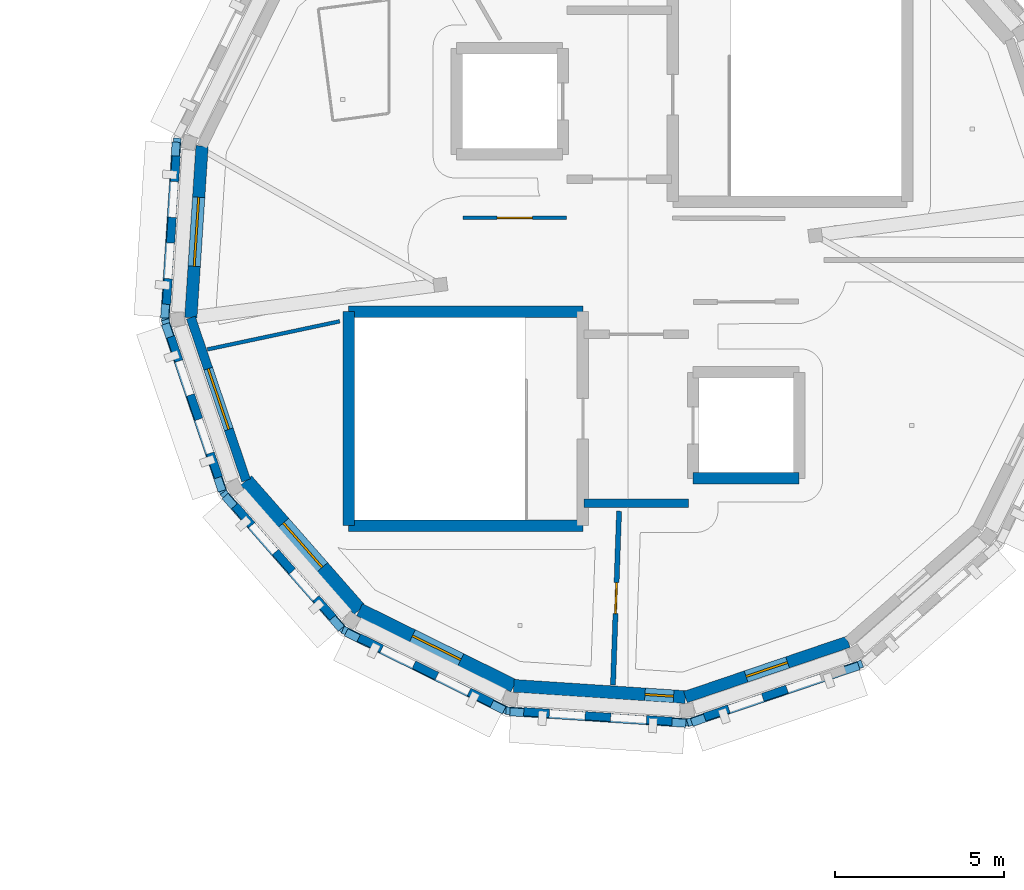
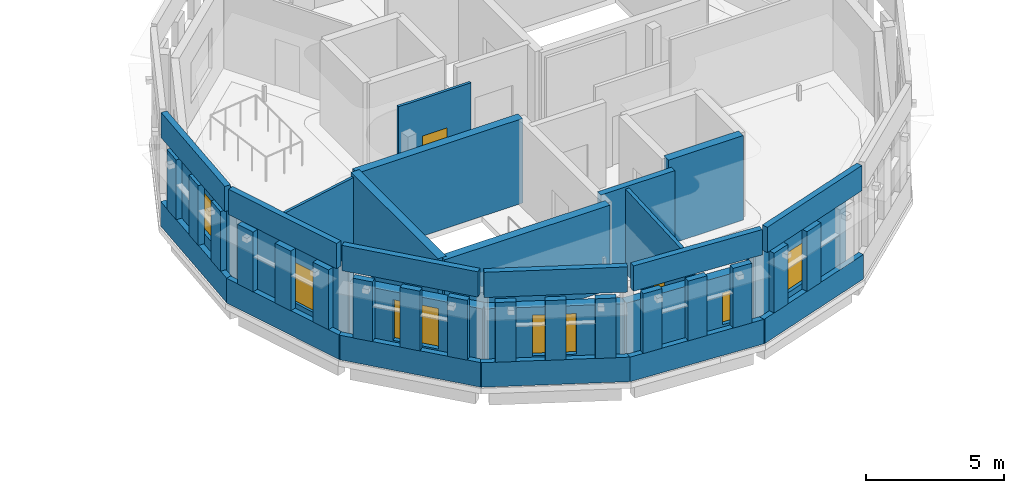
# One storey, part 13 of 18: 43 walls, 6 windows, 2 doors, 8 openings.
"""IFC4 building model written with IfcOpenShell, lengths in metres."""

from ifc_helpers import new_model, si_unit, direction, frame, frame_2d, origin, place, context, subcontext, project, spatial, rectangle, extrude, material, layer, layer_set, type_object, element, fill, save


model = new_model("IFC4")

# Units and contexts
model_context = context("Model", 3, precision=1e-05, world=origin(), true_north=direction((0.0, 1.0)))
body_context = subcontext(model_context, "Body", "Model", "MODEL_VIEW")
ifc_project = project(units=[si_unit("LENGTHUNIT", "METRE"), si_unit("AREAUNIT", "SQUARE_METRE"), si_unit("VOLUMEUNIT", "CUBIC_METRE"), si_unit("PLANEANGLEUNIT", "RADIAN"), si_unit("MASSUNIT", "GRAM", prefix="KILO")], contexts=[model_context])

# Site, building, storey
site_placement = place(None, origin())
site = spatial("IfcSite", under=ifc_project, at=site_placement, CompositionType="ELEMENT")
building_placement = place(site_placement, origin())
building = spatial("IfcBuilding", under=site, at=building_placement, Name="Wrenclough Park School", CompositionType="ELEMENT")
storey_placement = place(building_placement, frame((0.0, 0.0, 20.800048828125)))
storey = spatial("IfcBuildingStorey", under=building, at=storey_placement, Name="L05", CompositionType="ELEMENT", Elevation=20.800048828125)

# Walls
ifc_material_1 = material(Name="Perforated open-bond Staffordshire and Manchester brick screen pier", Category="masonry")
ifc_layer_1 = layer(ifc_material_1, 0.2451171875)
ifc_layer_set_1 = layer_set([ifc_layer_1], Name="Perforated open-bond Staffordshire and Manchester brick screen pier")
wall_type_1 = type_object("IfcWallType", Name="ENV-BS-PR245", PredefinedType="ELEMENTEDWALL", material=ifc_layer_set_1)
wall_1_placement = place(storey_placement, frame((161.121826171875, 96.58251953125, 1.08984375), z_axis=(0.0, 0.0, 1.0), x_axis=(-0.065197327118, -0.997872390908, 0.0)))
element("IfcWall", 1, at=wall_1_placement, inside=storey, type_object=wall_type_1, Name="D5 L05 perforated brick screen pier 1026", PredefinedType="ELEMENTEDWALL", context=body_context, shape_type="SweptSolid", body=[
    extrude(rectangle(XDim=0.76025390625, YDim=0.2451171875, at=frame_2d((0.380126953125, 0.0))), origin(), (0.0, 0.0, 1.0), 2.650146484375),
])
for number, where, z_axis, x_axis, name in (
    (2, (161.002685546875, 94.765380859375, 1.08984375), (0.0, 0.0, 1.0), (-0.065218228618, -0.997871025061, 0.0), "D5 L05 perforated brick screen pier 1027"),
    (3, (160.8837890625, 92.948486328125, 1.08984375), (0.0, 0.0, 1.0), (-0.065538124105, -0.997850066036, 0.0), "D5 L05 perforated brick screen pier 1028"),
    (4, (160.960693359375, 91.228271484375, 1.08984375), (0.0, 0.0, 1.0), (0.321522655386, -0.946901886192, 0.0), "D5 L05 perforated brick screen pier 1029"),
):
    element("IfcWall", number, at=place(storey_placement, frame(where, z_axis=z_axis, x_axis=x_axis)), inside=storey, type_object=wall_type_1, Name=name, PredefinedType="ELEMENTEDWALL", context=body_context, shape_type="SweptSolid", body=[
        extrude(rectangle(XDim=0.760009765625, YDim=0.2451171875, at=frame_2d((0.3798828125, 0.0))), origin(), (0.0, 0.0, 1.0), 2.650146484375),
    ])
for number, where, z_axis, x_axis, name in (
    (5, (161.5458984375, 89.50390625, 1.08984375), (0.0, 0.0, 1.0), (0.321620473335, -0.946868666253, 0.0), "D5 L05 perforated brick screen pier 1030"),
    (6, (162.131103515625, 87.77978515625, 1.08984375), (0.0, 0.0, 1.0), (0.321620473335, -0.946868666253, 0.0), "D5 L05 perforated brick screen pier 1031"),
):
    element("IfcWall", number, at=place(storey_placement, frame(where, z_axis=z_axis, x_axis=x_axis)), inside=storey, type_object=wall_type_1, Name=name, PredefinedType="ELEMENTEDWALL", context=body_context, shape_type="SweptSolid", body=[
        extrude(rectangle(XDim=0.759765625, YDim=0.2451171875, at=frame_2d((0.3798828125, 0.0))), origin(), (0.0, 0.0, 1.0), 2.650146484375),
    ])
wall_2_placement = place(storey_placement, frame((162.860595703125, 86.219970703125, 1.08984375), z_axis=(0.0, 0.0, 1.0), x_axis=(0.659345470196, -0.751840109951, 0.0)))
element("IfcWall", 7, at=wall_2_placement, inside=storey, type_object=wall_type_1, Name="D5 L05 perforated brick screen pier 1032", PredefinedType="ELEMENTEDWALL", context=body_context, shape_type="SweptSolid", body=[
    extrude(rectangle(XDim=0.76025390625, YDim=0.2451171875, at=frame_2d((0.380126953125, 0.0))), origin(), (0.0, 0.0, 1.0), 2.650146484375),
])
wall_3_placement = place(storey_placement, frame((164.061279296875, 84.850830078125, 1.08984375), z_axis=(0.0, 0.0, 1.0), x_axis=(0.659323125798, -0.751859704857, 0.0)))
element("IfcWall", 8, at=wall_3_placement, inside=storey, type_object=wall_type_1, Name="D5 L05 perforated brick screen pier 1033", PredefinedType="ELEMENTEDWALL", context=body_context, shape_type="SweptSolid", body=[
    extrude(rectangle(XDim=0.759765625, YDim=0.2451171875, at=frame_2d((0.3798828125, 0.0))), origin(), (0.0, 0.0, 1.0), 2.650146484375),
])
wall_4_placement = place(storey_placement, frame((165.26171875, 83.48193359375, 1.08984375), z_axis=(0.0, 0.0, 1.0), x_axis=(0.659504701015, -0.751700438565, 0.0)))
element("IfcWall", 9, at=wall_4_placement, inside=storey, type_object=wall_type_1, Name="D5 L05 perforated brick screen pier 1034", PredefinedType="ELEMENTEDWALL", context=body_context, shape_type="SweptSolid", body=[
    extrude(rectangle(XDim=0.760009765625, YDim=0.2451171875, at=frame_2d((0.3798828125, 0.0))), origin(), (0.0, 0.0, 1.0), 2.650146484375),
])
wall_5_placement = place(storey_placement, frame((166.53271484375, 82.31982421875, 1.08984375), z_axis=(0.0, 0.0, 1.0), x_axis=(0.896792285629, -0.442451801258, 0.0)))
element("IfcWall", 10, at=wall_5_placement, inside=storey, type_object=wall_type_1, Name="D5 L05 perforated brick screen pier 1035", PredefinedType="ELEMENTEDWALL", context=body_context, shape_type="SweptSolid", body=[
    extrude(rectangle(XDim=0.759765625, YDim=0.2451171875, at=frame_2d((0.3798828125, 0.0))), origin(), (0.0, 0.0, 1.0), 2.650146484375),
])
for number, where, z_axis, x_axis, name in (
    (11, (168.165771484375, 81.514404296875, 1.08984375), (0.0, 0.0, 1.0), (0.896982570774, -0.442065908805, 0.0), "D5 L05 perforated brick screen pier 1036"),
    (12, (169.798828125, 80.709228515625, 1.08984375), (0.0, 0.0, 1.0), (0.896855160379, -0.442324339485, 0.0), "D5 L05 perforated brick screen pier 1037"),
):
    element("IfcWall", number, at=place(storey_placement, frame(where, z_axis=z_axis, x_axis=x_axis)), inside=storey, type_object=wall_type_1, Name=name, PredefinedType="ELEMENTEDWALL", context=body_context, shape_type="SweptSolid", body=[
        extrude(rectangle(XDim=0.760009765625, YDim=0.2451171875, at=frame_2d((0.3798828125, 0.0))), origin(), (0.0, 0.0, 1.0), 2.650146484375),
    ])
wall_6_placement = place(storey_placement, frame((171.41748046875, 80.121826171875, 1.08984375), z_axis=(0.0, 0.0, 1.0), x_axis=(0.997872390908, -0.065197327118, 0.0)))
element("IfcWall", 13, at=wall_6_placement, inside=storey, type_object=wall_type_1, Name="D5 L05 perforated brick screen pier 1038", PredefinedType="ELEMENTEDWALL", context=body_context, shape_type="SweptSolid", body=[
    extrude(rectangle(XDim=0.76025390625, YDim=0.2451171875, at=frame_2d((0.380126953125, 0.0))), origin(), (0.0, 0.0, 1.0), 2.650146484375),
])
for number, where, z_axis, x_axis, name in (
    (14, (173.234619140625, 80.002685546875, 1.08984375), (0.0, 0.0, 1.0), (0.997871025061, -0.065218228618, 0.0), "D5 L05 perforated brick screen pier 1039"),
    (15, (175.051513671875, 79.8837890625, 1.08984375), (0.0, 0.0, 1.0), (0.997850066036, -0.065538124105, 0.0), "D5 L05 perforated brick screen pier 1040"),
    (16, (176.771728515625, 79.960693359375, 1.08984375), (0.0, 0.0, 1.0), (0.946901886192, 0.321522655386, 0.0), "D5 L05 perforated brick screen pier 1041"),
):
    element("IfcWall", number, at=place(storey_placement, frame(where, z_axis=z_axis, x_axis=x_axis)), inside=storey, type_object=wall_type_1, Name=name, PredefinedType="ELEMENTEDWALL", context=body_context, shape_type="SweptSolid", body=[
        extrude(rectangle(XDim=0.760009765625, YDim=0.2451171875, at=frame_2d((0.3798828125, 0.0))), origin(), (0.0, 0.0, 1.0), 2.650146484375),
    ])
wall_7_placement = place(storey_placement, frame((178.49609375, 80.5458984375, 1.08984375), z_axis=(0.0, 0.0, 1.0), x_axis=(0.946868666253, 0.321620473335, 0.0)))
element("IfcWall", 17, at=wall_7_placement, inside=storey, type_object=wall_type_1, Name="D5 L05 perforated brick screen pier 1042", PredefinedType="ELEMENTEDWALL", context=body_context, shape_type="SweptSolid", body=[
    extrude(rectangle(XDim=0.759765625, YDim=0.2451171875, at=frame_2d((0.3798828125, 0.0))), origin(), (0.0, 0.0, 1.0), 2.650146484375),
])
ifc_material_2 = material(Name="Open-bond Manchester multi-stock brick spandrel screen", Category="masonry")
ifc_layer_2 = layer(ifc_material_2, 0.22509765625)
ifc_layer_set_2 = layer_set([ifc_layer_2], Name="Open-bond Manchester multi-stock brick spandrel screen")
wall_type_2 = type_object("IfcWallType", Name="ENV-BS-SP225", PredefinedType="ELEMENTEDWALL", material=ifc_layer_set_2)
wall_8_placement = place(storey_placement, frame((161.156494140625, 97.11181640625, 0.0), z_axis=(0.0, 0.0, 1.0), x_axis=(-0.065385822726, -0.997860057416, 0.0)))
element("IfcWall", 18, at=wall_8_placement, inside=storey, type_object=wall_type_2, Name="D5 L05 open-bond brick screen spandrel 0288", PredefinedType="ELEMENTEDWALL", context=body_context, shape_type="SweptSolid", body=[
    extrude(rectangle(XDim=5.462646484375, YDim=0.22509765625, at=frame_2d((2.7314453125, 0.0))), origin(), (0.0, 0.0, 1.0), 1.08984375),
])
for number, where, z_axis, x_axis, name in (
    (19, (160.790283203125, 91.73046875, 0.0), (0.0, 0.0, 1.0), (0.321398691789, -0.946943969259, 0.0), "D5 L05 open-bond brick screen spandrel 0289"),
    (20, (162.510986328125, 86.61865234375, 0.0), (0.0, 0.0, 1.0), (0.659333231933, -0.751850842434, 0.0), "D5 L05 open-bond brick screen spandrel 0290"),
    (21, (166.056884765625, 82.554443359375, 0.0), (0.0, 0.0, 1.0), (0.896871842035, -0.442290514216, 0.0), "D5 L05 open-bond brick screen spandrel 0291"),
):
    element("IfcWall", number, at=place(storey_placement, frame(where, z_axis=z_axis, x_axis=x_axis)), inside=storey, type_object=wall_type_2, Name=name, PredefinedType="ELEMENTEDWALL", context=body_context, shape_type="SweptSolid", body=[
        extrude(rectangle(XDim=5.46240234375, YDim=0.22509765625, at=frame_2d((2.731201171875, 0.0))), origin(), (0.0, 0.0, 1.0), 1.08984375),
    ])
wall_9_placement = place(storey_placement, frame((170.88818359375, 80.156494140625, 0.0), z_axis=(0.0, 0.0, 1.0), x_axis=(0.997860057416, -0.065385822726, 0.0)))
element("IfcWall", 22, at=wall_9_placement, inside=storey, type_object=wall_type_2, Name="D5 L05 open-bond brick screen spandrel 0292", PredefinedType="ELEMENTEDWALL", context=body_context, shape_type="SweptSolid", body=[
    extrude(rectangle(XDim=5.462646484375, YDim=0.22509765625, at=frame_2d((2.7314453125, 0.0))), origin(), (0.0, 0.0, 1.0), 1.08984375),
])
wall_10_placement = place(storey_placement, frame((176.26953125, 79.790283203125, 0.0), z_axis=(0.0, 0.0, 1.0), x_axis=(0.946943969259, 0.321398691789, 0.0)))
element("IfcWall", 23, at=wall_10_placement, inside=storey, type_object=wall_type_2, Name="D5 L05 open-bond brick screen spandrel 0293", PredefinedType="ELEMENTEDWALL", context=body_context, shape_type="SweptSolid", body=[
    extrude(rectangle(XDim=5.46240234375, YDim=0.22509765625, at=frame_2d((2.731201171875, 0.0))), origin(), (0.0, 0.0, 1.0), 1.08984375),
])

# Wall, opening, window
ifc_material_3 = material(Name="Link wing brick-faced cavity wall Concrete C32/40", Category="masonry")
ifc_layer_3 = layer(ifc_material_3, 0.27490234375)
ifc_layer_set_3 = layer_set([ifc_layer_3], Name="Link wing brick-faced cavity wall Concrete C32/40")
wall_type_3 = type_object("IfcWallType", Name="ENV-EW-275", PredefinedType="SOLIDWALL", material=ifc_layer_set_3)
wall_11_placement = place(storey_placement, frame((163.191650390625, 86.97119140625, 0.0), z_axis=(0.0, 0.0, 1.0), x_axis=(-0.321398403796, 0.946944067006, 0.0)))
wall_11 = element("IfcWall", 24, at=wall_11_placement, inside=storey, type_object=wall_type_3, Name="L05 insulated brick external wall 0398", PredefinedType="SOLIDWALL", context=body_context, shape_type="SweptSolid", body=[
    extrude(rectangle(XDim=5.0947265625, YDim=0.27490234375, at=frame_2d((2.54736328125, 0.0))), origin(), (0.0, 0.0, 1.0), 3.739990234375),
])
opening_1_placement = place(wall_11_placement, frame((1.597412109375, 0.0, 0.85009765625)))
opening_1 = element("IfcOpeningElement", 25, at=opening_1_placement, cuts=wall_11, Name="Opening WN-31", PredefinedType="OPENING", context=body_context, shape_type="SweptSolid", body=[
    extrude(rectangle(XDim=1.89990234375, YDim=1.800048828125, at=frame_2d((0.949951171875, 0.89990234375))), frame((0.0, 0.1474609375, 0.0), z_axis=(0.0, -1.0, 0.0), x_axis=(1.0, 0.0, 0.0)), (0.0, 0.0, 1.0), 0.294921875),
])
ifc_material_4 = material(Name="Thermally broken aluminium and double-glazed low-e glass", Category="aluminium")
window_type_1 = type_object("IfcWindowType", Name="ENV-WN-31", PartitioningType="DOUBLE_PANEL_VERTICAL", PredefinedType="WINDOW", material=ifc_material_4)
window_1_placement = place(opening_1_placement, origin())
window_1 = element("IfcWindow", 26, at=window_1_placement, inside=storey, type_object=window_type_1, Name="L05 scheduled facade window 0646", OverallHeight=1.800048828125, OverallWidth=1.89990234375, PartitioningType="SINGLE_PANEL", PredefinedType="WINDOW", context=body_context, shape_type="SweptSolid", body=[
    extrude(rectangle(XDim=1.89990234375, YDim=1.800048828125, at=frame_2d((0.949951171875, 0.89990234375))), frame((0.0, 0.030029296875, 0.0), z_axis=(0.0, -1.0, 0.0), x_axis=(1.0, 0.0, 0.0)), (0.0, 0.0, 1.0), 0.06005859375),
])
fill(opening_1, window_1)

ifc_material_5 = material(Name="Staffordshire blue-grey brick and Concrete C35/45 inner leaf", Category="masonry")
ifc_layer_4 = layer(ifc_material_5, 0.35009765625)
ifc_layer_set_4 = layer_set([ifc_layer_4], Name="Staffordshire blue-grey brick and Concrete C35/45 inner leaf")
wall_type_4 = type_object("IfcWallType", Name="ENV-EW-350", PredefinedType="SOLIDWALL", material=ifc_layer_set_4)
wall_12_placement = place(storey_placement, frame((181.02880859375, 82.191650390625, 0.0), z_axis=(0.0, 0.0, 1.0), x_axis=(-0.946944067006, -0.321398403796, 0.0)))
wall_12 = element("IfcWall", 27, at=wall_12_placement, inside=storey, type_object=wall_type_4, Name="L05 insulated brick external wall 0394", PredefinedType="SOLIDWALL", context=body_context, shape_type="SweptSolid", body=[
    extrude(rectangle(XDim=5.0947265625, YDim=0.35009765625, at=frame_2d((2.54736328125, 0.0))), origin(), (0.0, 0.0, 1.0), 3.739990234375),
])
opening_2_placement = place(wall_12_placement, frame((1.8974609375, 0.0, 0.85009765625)))
opening_2 = element("IfcOpeningElement", 28, at=opening_2_placement, cuts=wall_12, Name="Opening WN-27", PredefinedType="OPENING", context=body_context, shape_type="SweptSolid", body=[
    extrude(rectangle(XDim=1.300048828125, YDim=1.800048828125, at=frame_2d((0.64990234375, 0.89990234375))), frame((0.0, 0.18505859375, 0.0), z_axis=(0.0, -1.0, 0.0), x_axis=(1.0, 0.0, 0.0)), (0.0, 0.0, 1.0), 0.3701171875),
])
window_type_2 = type_object("IfcWindowType", Name="ENV-WN-27", PartitioningType="SINGLE_PANEL", PredefinedType="WINDOW", material=ifc_material_4)
window_2_placement = place(opening_2_placement, origin())
window_2 = element("IfcWindow", 29, at=window_2_placement, inside=storey, type_object=window_type_2, Name="L05 scheduled facade window 0642", OverallHeight=1.800048828125, OverallWidth=1.300048828125, PartitioningType="SINGLE_PANEL", PredefinedType="WINDOW", context=body_context, shape_type="SweptSolid", body=[
    extrude(rectangle(XDim=1.300048828125, YDim=1.800048828125, at=frame_2d((0.64990234375, 0.89990234375))), frame((0.0, 0.030029296875, 0.0), z_axis=(0.0, -1.0, 0.0), x_axis=(1.0, 0.0, 0.0)), (0.0, 0.0, 1.0), 0.06005859375),
])
fill(opening_2, window_2)

ifc_material_6 = material(Name="Faceted courtyard brick-cavity wall Concrete C35/45", Category="masonry")
ifc_layer_5 = layer(ifc_material_6, 0.364990234375)
ifc_layer_set_5 = layer_set([ifc_layer_5], Name="Faceted courtyard brick-cavity wall Concrete C35/45")
wall_type_5 = type_object("IfcWallType", Name="ENV-EW-365", PredefinedType="SOLIDWALL", material=ifc_layer_set_5)
wall_13_placement = place(storey_placement, frame((161.55419921875, 91.795654296875, 0.0), z_axis=(0.0, 0.0, 1.0), x_axis=(0.065364406289, 0.99786146052, 0.0)))
wall_13 = element("IfcWall", 30, at=wall_13_placement, inside=storey, type_object=wall_type_5, Name="L05 insulated brick external wall 0399", PredefinedType="SOLIDWALL", context=body_context, shape_type="SweptSolid", body=[
    extrude(rectangle(XDim=5.0947265625, YDim=0.364990234375, at=frame_2d((2.54736328125, 0.0))), origin(), (0.0, 0.0, 1.0), 3.739990234375),
])
opening_3_placement = place(wall_13_placement, frame((1.5224609375, 0.0, 0.85009765625)))
opening_3 = element("IfcOpeningElement", 31, at=opening_3_placement, cuts=wall_13, Name="Opening WN-32", PredefinedType="OPENING", context=body_context, shape_type="SweptSolid", body=[
    extrude(rectangle(XDim=2.050048828125, YDim=1.800048828125, at=frame_2d((1.02490234375, 0.89990234375))), frame((0.0, 0.1923828125, 0.0), z_axis=(0.0, -1.0, 0.0), x_axis=(1.0, 0.0, 0.0)), (0.0, 0.0, 1.0), 0.385009765625),
])
window_type_3 = type_object("IfcWindowType", Name="ENV-WN-32", PartitioningType="DOUBLE_PANEL_VERTICAL", PredefinedType="WINDOW", material=ifc_material_4)
window_3_placement = place(opening_3_placement, origin())
window_3 = element("IfcWindow", 32, at=window_3_placement, inside=storey, type_object=window_type_3, Name="L05 scheduled facade window 0647", OverallHeight=1.800048828125, OverallWidth=2.050048828125, PartitioningType="SINGLE_PANEL", PredefinedType="WINDOW", context=body_context, shape_type="SweptSolid", body=[
    extrude(rectangle(XDim=2.050048828125, YDim=1.800048828125, at=frame_2d((1.02490234375, 0.89990234375))), frame((0.0, 0.030029296875, 0.0), z_axis=(0.0, -1.0, 0.0), x_axis=(1.0, 0.0, 0.0)), (0.0, 0.0, 1.0), 0.06005859375),
])
fill(opening_3, window_3)

ifc_material_7 = material(Name="Manchester multi-stock brick and Concrete C35/45 inner leaf", Category="masonry")
ifc_layer_6 = layer(ifc_material_7, 0.3798828125)
ifc_layer_set_6 = layer_set([ifc_layer_6], Name="Manchester multi-stock brick and Concrete C35/45 inner leaf")
wall_type_6 = type_object("IfcWallType", Name="ENV-EW-380", PredefinedType="SOLIDWALL", material=ifc_layer_set_6)
wall_14_placement = place(storey_placement, frame((176.204345703125, 80.55419921875, 0.0), z_axis=(0.0, 0.0, 1.0), x_axis=(-0.99786146052, 0.065364406289, 0.0)))
wall_14 = element("IfcWall", 33, at=wall_14_placement, inside=storey, type_object=wall_type_6, Name="L05 insulated brick external wall 0395", PredefinedType="SOLIDWALL", context=body_context, shape_type="SweptSolid", body=[
    extrude(rectangle(XDim=5.0947265625, YDim=0.3798828125, at=frame_2d((2.54736328125, 0.0))), origin(), (0.0, 0.0, 1.0), 3.0068359375),
])
opening_4_placement = place(wall_14_placement, frame((0.35009765625, 0.0, 0.85009765625)))
opening_4 = element("IfcOpeningElement", 34, at=opening_4_placement, cuts=wall_14, Name="Opening WN-01", PredefinedType="OPENING", context=body_context, shape_type="SweptSolid", body=[
    extrude(rectangle(XDim=0.85009765625, YDim=1.39990234375, at=frame_2d((0.425048828125, 0.699951171875))), frame((0.0, 0.199951171875, 0.0), z_axis=(0.0, -1.0, 0.0), x_axis=(1.0, 0.0, 0.0)), (0.0, 0.0, 1.0), 0.39990234375),
])
window_type_4 = type_object("IfcWindowType", Name="ENV-WN-01", PartitioningType="SINGLE_PANEL", PredefinedType="WINDOW", material=ifc_material_4)
window_4_placement = place(opening_4_placement, origin())
window_4 = element("IfcWindow", 35, at=window_4_placement, inside=storey, type_object=window_type_4, Name="L05 scheduled facade window 0643", OverallHeight=1.39990234375, OverallWidth=0.85009765625, PartitioningType="SINGLE_PANEL", PredefinedType="WINDOW", context=body_context, shape_type="SweptSolid", body=[
    extrude(rectangle(XDim=0.85009765625, YDim=1.39990234375, at=frame_2d((0.425048828125, 0.699951171875))), frame((0.0, 0.030029296875, 0.0), z_axis=(0.0, -1.0, 0.0), x_axis=(1.0, 0.0, 0.0)), (0.0, 0.0, 1.0), 0.06005859375),
])
fill(opening_4, window_4)

ifc_material_8 = material(Name="Staffordshire blue-grey brick and Concrete C40/50 acoustic leaf", Category="masonry")
ifc_layer_7 = layer(ifc_material_8, 0.39990234375)
ifc_layer_set_7 = layer_set([ifc_layer_7], Name="Staffordshire blue-grey brick and Concrete C40/50 acoustic leaf")
wall_type_7 = type_object("IfcWallType", Name="ENV-EW-400", PredefinedType="SOLIDWALL", material=ifc_layer_set_7)
wall_15_placement = place(storey_placement, frame((171.12060546875, 80.88720703125, 0.0), z_axis=(0.0, 0.0, 1.0), x_axis=(-0.896885971635, 0.442261861213, 0.0)))
wall_15 = element("IfcWall", 36, at=wall_15_placement, inside=storey, type_object=wall_type_7, Name="L05 insulated brick external wall 0396", PredefinedType="SOLIDWALL", context=body_context, shape_type="SweptSolid", body=[
    extrude(rectangle(XDim=5.09521484375, YDim=0.39990234375, at=frame_2d((2.547607421875, 0.0))), origin(), (0.0, 0.0, 1.0), 3.0068359375),
])
opening_5_placement = place(wall_15_placement, frame((1.74755859375, 0.0, 0.85009765625)))
opening_5 = element("IfcOpeningElement", 37, at=opening_5_placement, cuts=wall_15, Name="Opening WN-29", PredefinedType="OPENING", context=body_context, shape_type="SweptSolid", body=[
    extrude(rectangle(XDim=1.60009765625, YDim=1.800048828125, at=frame_2d((0.800048828125, 0.89990234375))), frame((0.0, 0.2099609375, 0.0), z_axis=(0.0, -1.0, 0.0), x_axis=(1.0, 0.0, 0.0)), (0.0, 0.0, 1.0), 0.419921875),
])
window_type_5 = type_object("IfcWindowType", Name="ENV-WN-29", PartitioningType="DOUBLE_PANEL_VERTICAL", PredefinedType="WINDOW", material=ifc_material_4)
window_5_placement = place(opening_5_placement, origin())
window_5 = element("IfcWindow", 38, at=window_5_placement, inside=storey, type_object=window_type_5, Name="L05 scheduled facade window 0644", OverallHeight=1.800048828125, OverallWidth=1.60009765625, PartitioningType="SINGLE_PANEL", PredefinedType="WINDOW", context=body_context, shape_type="SweptSolid", body=[
    extrude(rectangle(XDim=1.60009765625, YDim=1.800048828125, at=frame_2d((0.800048828125, 0.89990234375))), frame((0.0, 0.030029296875, 0.0), z_axis=(0.0, -1.0, 0.0), x_axis=(1.0, 0.0, 0.0)), (0.0, 0.0, 1.0), 0.06005859375),
])
fill(opening_5, window_5)

ifc_material_9 = material(Name="Insulated brick-clad sports hall wall Concrete C40/50", Category="masonry")
ifc_layer_8 = layer(ifc_material_9, 0.425048828125)
ifc_layer_set_8 = layer_set([ifc_layer_8], Name="Insulated brick-clad sports hall wall Concrete C40/50")
wall_type_8 = type_object("IfcWallType", Name="ENV-EW-425", PredefinedType="SOLIDWALL", material=ifc_layer_set_8)
wall_16_placement = place(storey_placement, frame((166.55078125, 83.140625, 0.0), z_axis=(0.0, 0.0, 1.0), x_axis=(-0.659325209533, 0.751857877577, 0.0)))
wall_16 = element("IfcWall", 39, at=wall_16_placement, inside=storey, type_object=wall_type_8, Name="L05 insulated brick external wall 0397", PredefinedType="SOLIDWALL", context=body_context, shape_type="SweptSolid", body=[
    extrude(rectangle(XDim=5.0947265625, YDim=0.425048828125, at=frame_2d((2.54736328125, 0.0))), origin(), (0.0, 0.0, 1.0), 3.0068359375),
])
opening_6_placement = place(wall_16_placement, frame((1.67236328125, 0.0, 0.85009765625)))
opening_6 = element("IfcOpeningElement", 40, at=opening_6_placement, cuts=wall_16, Name="Opening WN-30", PredefinedType="OPENING", context=body_context, shape_type="SweptSolid", body=[
    extrude(rectangle(XDim=1.75, YDim=1.800048828125, at=frame_2d((0.875, 0.89990234375))), frame((0.0, 0.222412109375, 0.0), z_axis=(0.0, -1.0, 0.0), x_axis=(1.0, 0.0, 0.0)), (0.0, 0.0, 1.0), 0.445068359375),
])
window_type_6 = type_object("IfcWindowType", Name="ENV-WN-30", PartitioningType="DOUBLE_PANEL_VERTICAL", PredefinedType="WINDOW", material=ifc_material_4)
window_6_placement = place(opening_6_placement, origin())
window_6 = element("IfcWindow", 41, at=window_6_placement, inside=storey, type_object=window_type_6, Name="L05 scheduled facade window 0645", OverallHeight=1.800048828125, OverallWidth=1.75, PartitioningType="SINGLE_PANEL", PredefinedType="WINDOW", context=body_context, shape_type="SweptSolid", body=[
    extrude(rectangle(XDim=1.75, YDim=1.800048828125, at=frame_2d((0.875, 0.89990234375))), frame((0.0, 0.030029296875, 0.0), z_axis=(0.0, -1.0, 0.0), x_axis=(1.0, 0.0, 0.0)), (0.0, 0.0, 1.0), 0.06005859375),
])
fill(opening_6, window_6)

# Walls
ifc_material_10 = material(Name="Capped Manchester multi-stock brick parapet", Category="masonry")
ifc_layer_9 = layer(ifc_material_10, 0.239990234375)
ifc_layer_set_9 = layer_set([ifc_layer_9], Name="Capped Manchester multi-stock brick parapet")
wall_type_9 = type_object("IfcWallType", Name="ENV-PW-240", PredefinedType="PARAPET", material=ifc_layer_set_9)
wall_17_placement = place(storey_placement, frame((161.118896484375, 96.993896484375, 4.0), z_axis=(0.0, 0.0, 1.0), x_axis=(-0.065398904758, -0.997859200116, 0.0)))
element("IfcWall", 42, at=wall_17_placement, inside=storey, type_object=wall_type_9, Name="D5-ROOF cylindrical drum parapet wall 103", PredefinedType="PARAPET", context=body_context, shape_type="SweptSolid", body=[
    extrude(rectangle(XDim=5.22265625, YDim=0.239990234375, at=frame_2d((2.611328125, 0.0))), origin(), (0.0, 0.0, 1.0), 1.119873046875),
])
wall_18_placement = place(storey_placement, frame((160.80029296875, 91.607177734375, 4.0), z_axis=(0.0, 0.0, 1.0), x_axis=(0.321440074474, -0.946929922709, 0.0)))
element("IfcWall", 43, at=wall_18_placement, inside=storey, type_object=wall_type_9, Name="D5-ROOF cylindrical drum parapet wall 104", PredefinedType="PARAPET", context=body_context, shape_type="SweptSolid", body=[
    extrude(rectangle(XDim=5.222412109375, YDim=0.239990234375, at=frame_2d((2.611328125, 0.0))), origin(), (0.0, 0.0, 1.0), 1.119873046875),
])
wall_19_placement = place(storey_placement, frame((162.5673828125, 86.5087890625, 4.0), z_axis=(0.0, 0.0, 1.0), x_axis=(0.659361340355, -0.751826191912, 0.0)))
element("IfcWall", 44, at=wall_19_placement, inside=storey, type_object=wall_type_9, Name="D5-ROOF cylindrical drum parapet wall 105", PredefinedType="PARAPET", context=body_context, shape_type="SweptSolid", body=[
    extrude(rectangle(XDim=5.22265625, YDim=0.239990234375, at=frame_2d((2.611328125, 0.0))), origin(), (0.0, 0.0, 1.0), 1.119873046875),
])
wall_20_placement = place(storey_placement, frame((166.1513671875, 82.474609375, 4.0), z_axis=(0.0, 0.0, 1.0), x_axis=(0.896854104277, -0.442326480827, 0.0)))
element("IfcWall", 45, at=wall_20_placement, inside=storey, type_object=wall_type_9, Name="D5-ROOF cylindrical drum parapet wall 106", PredefinedType="PARAPET", context=body_context, shape_type="SweptSolid", body=[
    extrude(rectangle(XDim=5.222412109375, YDim=0.239990234375, at=frame_2d((2.611328125, 0.0))), origin(), (0.0, 0.0, 1.0), 1.119873046875),
])
wall_21_placement = place(storey_placement, frame((171.006103515625, 80.118896484375, 4.0), z_axis=(0.0, 0.0, 1.0), x_axis=(0.997859200116, -0.065398904758, 0.0)))
element("IfcWall", 46, at=wall_21_placement, inside=storey, type_object=wall_type_9, Name="D5-ROOF cylindrical drum parapet wall 107", PredefinedType="PARAPET", context=body_context, shape_type="SweptSolid", body=[
    extrude(rectangle(XDim=5.22265625, YDim=0.239990234375, at=frame_2d((2.611328125, 0.0))), origin(), (0.0, 0.0, 1.0), 1.119873046875),
])
wall_22_placement = place(storey_placement, frame((176.392822265625, 79.80029296875, 4.0), z_axis=(0.0, 0.0, 1.0), x_axis=(0.946929922709, 0.321440074474, 0.0)))
element("IfcWall", 47, at=wall_22_placement, inside=storey, type_object=wall_type_9, Name="D5-ROOF cylindrical drum parapet wall 108", PredefinedType="PARAPET", context=body_context, shape_type="SweptSolid", body=[
    extrude(rectangle(XDim=5.222412109375, YDim=0.239990234375, at=frame_2d((2.611328125, 0.0))), origin(), (0.0, 0.0, 1.0), 1.119873046875),
])
ifc_material_11 = material(Name="Concrete C35/45", Category="concrete")
ifc_layer_10 = layer(ifc_material_11, 0.25)
ifc_layer_set_10 = layer_set([ifc_layer_10], Name="Concrete C35/45")
wall_type_10 = type_object("IfcWallType", Name="INT-CW-250", PredefinedType="SHEAR", material=ifc_layer_set_10)
wall_23_placement = place(storey_placement, frame((173.199951171875, 86.300048828125, 0.0), z_axis=(0.0, 0.0, 1.0), x_axis=(1.0, 0.0, 0.0)))
element("IfcWall", 48, at=wall_23_placement, inside=storey, type_object=wall_type_10, Name="Core C5 L05 lobby fire wall south", PredefinedType="SHEAR", context=body_context, shape_type="SweptSolid", body=[
    extrude(rectangle(XDim=3.10009765625, YDim=0.25, at=frame_2d((1.550048828125, 0.0))), origin(), (0.0, 0.0, 1.0), 3.75),
])
ifc_material_12 = material(Name="Concrete C40/50", Category="concrete")
ifc_layer_11 = layer(ifc_material_12, 0.340087890625)
ifc_layer_set_11 = layer_set([ifc_layer_11], Name="Concrete C40/50")
wall_type_11 = type_object("IfcWallType", Name="INT-CW-340", PredefinedType="SHEAR", material=ifc_layer_set_11)
for number, where, z_axis, x_axis, name in (
    (49, (166.22998046875, 85.6298828125, 0.0), (0.0, 0.0, 1.0), (1.0, 0.0, 0.0), "Core C5 L05 south shear wall"),
    (50, (173.169921875, 91.969970703125, 0.0), (0.0, 0.0, 1.0), (-1.0, 0.0, 0.0), "Core C5 L05 north shear wall"),
):
    element("IfcWall", number, at=place(storey_placement, frame(where, z_axis=z_axis, x_axis=x_axis)), inside=storey, type_object=wall_type_11, Name=name, PredefinedType="SHEAR", context=body_context, shape_type="SweptSolid", body=[
        extrude(rectangle(XDim=6.93994140625, YDim=0.340087890625, at=frame_2d((3.469970703125, 0.0))), origin(), (0.0, 0.0, 1.0), 3.75),
    ])
wall_24_placement = place(storey_placement, frame((166.22998046875, 91.969970703125, 0.0), z_axis=(0.0, 0.0, 1.0), x_axis=(0.0, -1.0, 0.0)))
element("IfcWall", 51, at=wall_24_placement, inside=storey, type_object=wall_type_11, Name="Core C5 L05 west shear wall", PredefinedType="SHEAR", context=body_context, shape_type="SweptSolid", body=[
    extrude(rectangle(XDim=6.340087890625, YDim=0.340087890625, at=frame_2d((3.169921875, 0.0))), origin(), (0.0, 0.0, 1.0), 3.75),
])
wall_25_placement = place(storey_placement, frame((176.429931640625, 87.030029296875, 0.0), z_axis=(0.0, 0.0, 1.0), x_axis=(1.0, 0.0, 0.0)))
element("IfcWall", 52, at=wall_25_placement, inside=storey, type_object=wall_type_11, Name="Lift LFT-01 L05 south shaft wall", PredefinedType="SHEAR", context=body_context, shape_type="SweptSolid", body=[
    extrude(rectangle(XDim=3.14013671875, YDim=0.340087890625, at=frame_2d((1.570068359375, 0.0))), origin(), (0.0, 0.0, 1.0), 3.75),
])

# Wall, opening, door
ifc_material_13 = material(Name="Lightweight fire-rated store partition", Category="gypsum")
ifc_layer_12 = layer(ifc_material_13, 0.110107421875)
ifc_layer_set_12 = layer_set([ifc_layer_12], Name="Lightweight fire-rated store partition")
wall_type_12 = type_object("IfcWallType", Name="INT-PW-110", PredefinedType="PARTITIONING", material=ifc_layer_set_12)
wall_26_placement = place(storey_placement, frame((169.623046875, 94.75, 0.0), z_axis=(0.0, 0.0, 1.0), x_axis=(1.0, 0.0, 0.0)))
wall_26 = element("IfcWall", 53, at=wall_26_placement, inside=storey, type_object=wall_type_12, Name="L05 internal partition 0512", PredefinedType="PARTITIONING", context=body_context, shape_type="SweptSolid", body=[
    extrude(rectangle(XDim=3.054931640625, YDim=0.110107421875, at=frame_2d((1.52734375, 0.0))), origin(), (0.0, 0.0, 1.0), 3.75),
])
opening_7_placement = place(wall_26_placement, frame((1.007568359375, 0.0, 0.0)))
opening_7 = element("IfcOpeningElement", 54, at=opening_7_placement, cuts=wall_26, Name="Opening DR-L05-114", PredefinedType="OPENING", context=body_context, shape_type="SweptSolid", body=[
    extrude(rectangle(XDim=1.0400390625, YDim=2.10009765625, at=frame_2d((0.52001953125, 1.050048828125))), frame((0.0, 0.06494140625, 0.0), z_axis=(0.0, -1.0, 0.0), x_axis=(1.0, 0.0, 0.0)), (0.0, 0.0, 1.0), 0.130126953125),
])
ifc_material_14 = material(Name="SEN accessible teaching room door assembly", Category="wood")
door_type_1 = type_object("IfcDoorType", Name="INT-DR-CL104", OperationType="NOTDEFINED", PredefinedType="DOOR", material=ifc_material_14)
door_1_placement = place(opening_7_placement, origin())
door_1 = element("IfcDoor", 55, at=door_1_placement, inside=storey, type_object=door_type_1, Name="Sixth Form Seminar Classroom 1 door DR-L05-114", OperationType="SINGLE_SWING_LEFT", OverallHeight=2.10009765625, OverallWidth=1.0400390625, PredefinedType="DOOR", context=body_context, shape_type="SweptSolid", body=[
    extrude(rectangle(XDim=1.0400390625, YDim=2.10009765625, at=frame_2d((0.52001953125, 1.050048828125))), frame((0.0, 0.02490234375, 0.0), z_axis=(0.0, -1.0, 0.0), x_axis=(1.0, 0.0, 0.0)), (0.0, 0.0, 1.0), 0.050048828125),
])
fill(opening_7, door_1)

# Wall
wall_27_placement = place(storey_placement, frame((162.0458984375, 90.852783203125, 0.0), z_axis=(0.0, 0.0, 1.0), x_axis=(0.978149713283, 0.207901751805, 0.0)))
element("IfcWall", 56, at=wall_27_placement, inside=storey, type_object=wall_type_12, Name="L05 internal partition 0514", PredefinedType="PARTITIONING", context=body_context, shape_type="SweptSolid", body=[
    extrude(rectangle(XDim=4.0068359375, YDim=0.110107421875, at=frame_2d((2.00341796875, 0.0))), origin(), (0.0, 0.0, 1.0), 3.75),
])

# Wall, opening, door
ifc_material_15 = material(Name="Protected corridor partition", Category="gypsum")
ifc_layer_13 = layer(ifc_material_15, 0.14990234375)
ifc_layer_set_13 = layer_set([ifc_layer_13], Name="Protected corridor partition")
wall_type_13 = type_object("IfcWallType", Name="INT-PW-150", PredefinedType="PARTITIONING", material=ifc_layer_set_13)
wall_28_placement = place(storey_placement, frame((174.240234375, 86.06005859375, 0.0), z_axis=(0.0, 0.0, 1.0), x_axis=(-0.034915886115, -0.999390254554, 0.0)))
wall_28 = element("IfcWall", 57, at=wall_28_placement, inside=storey, type_object=wall_type_13, Name="L05 internal partition 0515", PredefinedType="PARTITIONING", context=body_context, shape_type="SweptSolid", body=[
    extrude(rectangle(XDim=5.1533203125, YDim=0.14990234375, at=frame_2d((2.57666015625, 0.0))), origin(), (0.0, 0.0, 1.0), 3.75),
])
opening_8_placement = place(wall_28_placement, frame((2.11669921875, 0.0, 0.0)))
opening_8 = element("IfcOpeningElement", 58, at=opening_8_placement, cuts=wall_28, Name="Opening DR-L05-116", PredefinedType="OPENING", context=body_context, shape_type="SweptSolid", body=[
    extrude(rectangle(XDim=0.919921875, YDim=2.080078125, at=frame_2d((0.4599609375, 1.0400390625))), frame((0.0, 0.0849609375, 0.0), z_axis=(0.0, -1.0, 0.0), x_axis=(1.0, 0.0, 0.0)), (0.0, 0.0, 1.0), 0.169921875),
])
ifc_material_16 = material(Name="Acoustic classroom single leaf vision door assembly", Category="wood")
door_type_2 = type_object("IfcDoorType", Name="INT-DR-CL092", OperationType="NOTDEFINED", PredefinedType="DOOR", material=ifc_material_16)
door_2_placement = place(opening_8_placement, frame((0.919921875, 0.0, 0.0), z_axis=(0.0, 0.0, 1.0), x_axis=(-1.0, 0.0, 0.0)))
door_2 = element("IfcDoor", 59, at=door_2_placement, inside=storey, type_object=door_type_2, Name="Sixth Form Common Studio door DR-L05-116", OperationType="SINGLE_SWING_LEFT", OverallHeight=2.080078125, OverallWidth=0.919921875, PredefinedType="DOOR", context=body_context, shape_type="SweptSolid", body=[
    extrude(rectangle(XDim=0.919921875, YDim=2.080078125, at=frame_2d((0.4599609375, 1.0400390625))), frame((0.0, 0.02490234375, 0.0), z_axis=(0.0, -1.0, 0.0), x_axis=(1.0, 0.0, 0.0)), (0.0, 0.0, 1.0), 0.050048828125),
])
fill(opening_8, door_2)

save(model, "model.ifc")
